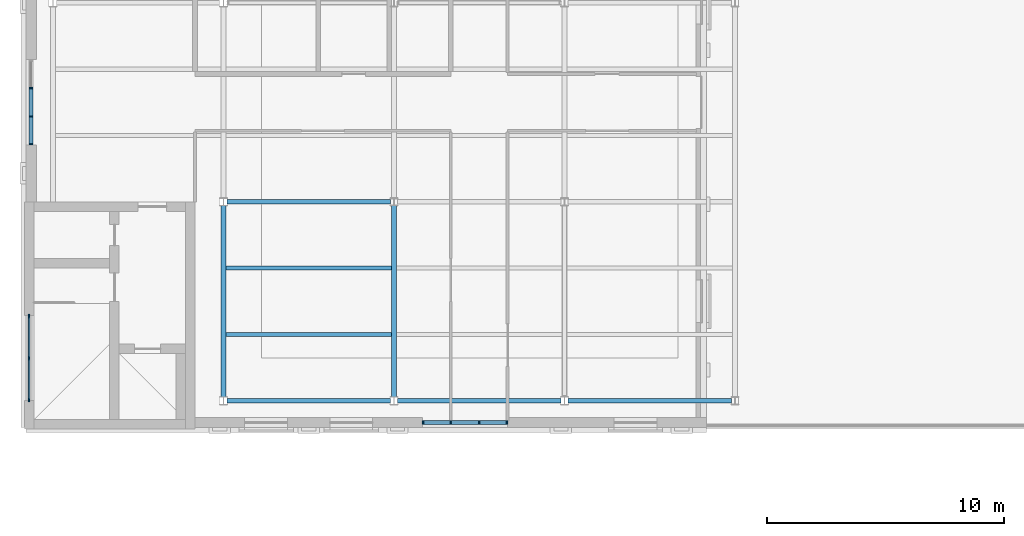
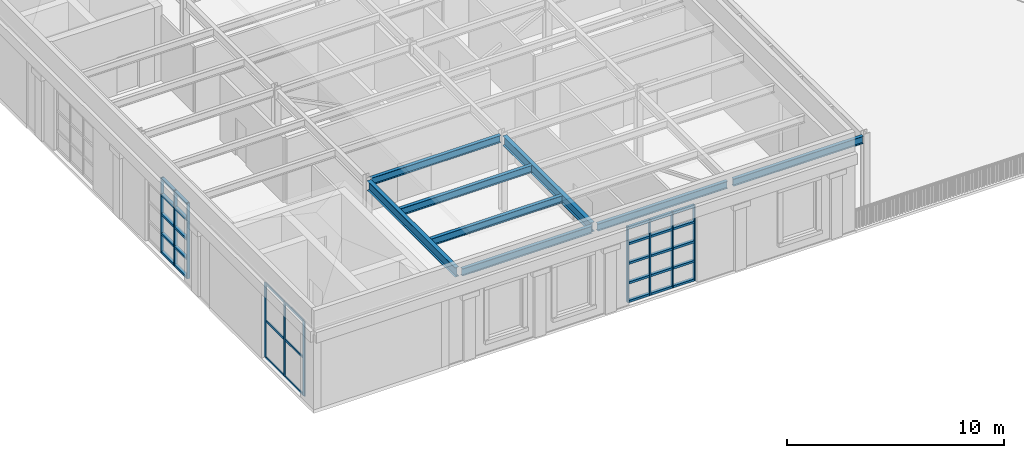
# One storey, part 3 of 127: 41 members, 8 beams, 3 elements without a shape of their own.
"""IFC4 building model written with IfcOpenShell, lengths in metres."""

from ifc_helpers import new_model, si_unit, direction, frame, origin, origin_2d, place, context, subcontext, project, spatial, rectangle, i_section, extrude, material, layer, layer_set, material_profile, profile_set, type_object, element, aggregate, save


model = new_model("IFC4")

# Units and contexts
model_context = context("Model", 3, precision=1e-05, world=origin(), true_north=direction((0.0, 1.0)))
body_context = subcontext(model_context, "Body", "Model", "MODEL_VIEW")
ifc_project = project(units=[si_unit("LENGTHUNIT", "METRE"), si_unit("AREAUNIT", "SQUARE_METRE"), si_unit("VOLUMEUNIT", "CUBIC_METRE"), si_unit("PLANEANGLEUNIT", "RADIAN"), si_unit("MASSUNIT", "GRAM", prefix="KILO")], contexts=[model_context])

# Site, building, storey
site_placement = place(None, origin())
site = spatial("IfcSite", under=ifc_project, at=site_placement, CompositionType="ELEMENT")
building_placement = place(site_placement, origin())
building = spatial("IfcBuilding", under=site, at=building_placement, Name="Verrick Yard Athletic Hall", CompositionType="ELEMENT")
storey_placement = place(building_placement, frame((0.0, 0.0, 14.0)))
storey = spatial("IfcBuildingStorey", under=building, at=storey_placement, Name="L03", CompositionType="ELEMENT", Elevation=14.0)

# Curtain wall, members
ifc_material_1 = material(Name="Aluminium 6063-T5", Category="aluminium")
curtain_wall_type_1 = type_object("IfcCurtainWallType", Name="Core glazing strip", PredefinedType="NOTDEFINED", material=ifc_material_1)
curtain_wall_1_placement = place(storey_placement, origin())
curtain_wall_1 = element("IfcCurtainWall", 1, at=curtain_wall_1_placement, inside=storey, type_object=curtain_wall_type_1, Name="CORE-CB1-CW-L03", PredefinedType="NOTDEFINED")
ifc_material_profile_1 = material_profile(ifc_material_1, rectangle(XDim=0.06005859375, YDim=0.159912109375, at=origin_2d()), Name="Core glazing mullion 60x160")
ifc_profile_set_1 = profile_set([ifc_material_profile_1], Name="Aluminium 6063-T5")
member_type_1 = type_object("IfcMemberType", Name="Core glazing mullion 60x160", PredefinedType="MULLION", material=ifc_profile_set_1)
member_1_placement = place(storey_placement, frame((10.199951171875, 19.22998046875, 0.0), z_axis=(0.0, 0.0, 1.0), x_axis=(-1.0, 0.0, 0.0)))
member_1 = element("IfcMember", 2, at=member_1_placement, type_object=member_type_1, Name="CW5 mullion 1", PredefinedType="MULLION", context=body_context, shape_type="SweptSolid", body=[
    extrude(rectangle(XDim=0.06005859375, YDim=0.159912109375, at=origin_2d()), origin(), (0.0, 0.0, 1.0), 4.199951171875),
])
member_2_placement = place(storey_placement, frame((10.199951171875, 21.0, 0.0), z_axis=(0.0, 0.0, 1.0), x_axis=(-1.0, 0.0, 0.0)))
member_2 = element("IfcMember", 3, at=member_2_placement, type_object=member_type_1, Name="CW5 mullion 2", PredefinedType="MULLION", context=body_context, shape_type="SweptSolid", body=[
    extrude(rectangle(XDim=0.06005859375, YDim=0.159912109375, at=origin_2d()), origin(), (0.0, 0.0, 1.0), 4.199951171875),
])
member_3_placement = place(storey_placement, frame((10.199951171875, 22.77001953125, 0.0), z_axis=(0.0, 0.0, 1.0), x_axis=(-1.0, 0.0, 0.0)))
member_3 = element("IfcMember", 4, at=member_3_placement, type_object=member_type_1, Name="CW5 mullion 3", PredefinedType="MULLION", context=body_context, shape_type="SweptSolid", body=[
    extrude(rectangle(XDim=0.06005859375, YDim=0.159912109375, at=origin_2d()), origin(), (0.0, 0.0, 1.0), 4.199951171875),
])
ifc_material_profile_2 = material_profile(ifc_material_1, rectangle(XDim=0.06005859375, YDim=0.1201171875, at=origin_2d()), Name="Core glazing transom 60x120")
ifc_profile_set_2 = profile_set([ifc_material_profile_2], Name="Aluminium 6063-T5")
member_type_2 = type_object("IfcMemberType", Name="Core glazing transom 60x120", PredefinedType="USERDEFINED", material=ifc_profile_set_2)
member_4_placement = place(storey_placement, frame((10.199951171875, 19.260009765625, 0.030029296875), z_axis=(0.0, 1.0, 0.0), x_axis=(-1.0, 0.0, 0.0)))
member_4 = element("IfcMember", 5, at=member_4_placement, type_object=member_type_2, Name="CW5 transom 1.1", ObjectType="TRANSOM", PredefinedType="USERDEFINED", context=body_context, shape_type="SweptSolid", body=[
    extrude(rectangle(XDim=0.06005859375, YDim=0.1201171875, at=origin_2d()), origin(), (0.0, 0.0, 1.0), 1.7099609375),
])
member_5_placement = place(storey_placement, frame((10.199951171875, 19.260009765625, 2.10009765625), z_axis=(0.0, 1.0, 0.0), x_axis=(-1.0, 0.0, 0.0)))
member_5 = element("IfcMember", 6, at=member_5_placement, type_object=member_type_2, Name="CW5 transom 1.2", ObjectType="TRANSOM", PredefinedType="USERDEFINED", context=body_context, shape_type="SweptSolid", body=[
    extrude(rectangle(XDim=0.06005859375, YDim=0.1201171875, at=origin_2d()), origin(), (0.0, 0.0, 1.0), 1.7099609375),
])
member_6_placement = place(storey_placement, frame((10.199951171875, 19.260009765625, 4.169921875), z_axis=(0.0, 1.0, 0.0), x_axis=(-1.0, 0.0, 0.0)))
member_6 = element("IfcMember", 7, at=member_6_placement, type_object=member_type_2, Name="CW5 transom 1.3", ObjectType="TRANSOM", PredefinedType="USERDEFINED", context=body_context, shape_type="SweptSolid", body=[
    extrude(rectangle(XDim=0.06005859375, YDim=0.1201171875, at=origin_2d()), origin(), (0.0, 0.0, 1.0), 1.7099609375),
])
member_7_placement = place(storey_placement, frame((10.199951171875, 21.030029296875, 0.030029296875), z_axis=(0.0, 1.0, 0.0), x_axis=(-1.0, 0.0, 0.0)))
member_7 = element("IfcMember", 8, at=member_7_placement, type_object=member_type_2, Name="CW5 transom 2.1", ObjectType="TRANSOM", PredefinedType="USERDEFINED", context=body_context, shape_type="SweptSolid", body=[
    extrude(rectangle(XDim=0.06005859375, YDim=0.1201171875, at=origin_2d()), origin(), (0.0, 0.0, 1.0), 1.7099609375),
])
member_8_placement = place(storey_placement, frame((10.199951171875, 21.030029296875, 2.10009765625), z_axis=(0.0, 1.0, 0.0), x_axis=(-1.0, 0.0, 0.0)))
member_8 = element("IfcMember", 9, at=member_8_placement, type_object=member_type_2, Name="CW5 transom 2.2", ObjectType="TRANSOM", PredefinedType="USERDEFINED", context=body_context, shape_type="SweptSolid", body=[
    extrude(rectangle(XDim=0.06005859375, YDim=0.1201171875, at=origin_2d()), origin(), (0.0, 0.0, 1.0), 1.7099609375),
])
member_9_placement = place(storey_placement, frame((10.199951171875, 21.030029296875, 4.169921875), z_axis=(0.0, 1.0, 0.0), x_axis=(-1.0, 0.0, 0.0)))
member_9 = element("IfcMember", 10, at=member_9_placement, type_object=member_type_2, Name="CW5 transom 2.3", ObjectType="TRANSOM", PredefinedType="USERDEFINED", context=body_context, shape_type="SweptSolid", body=[
    extrude(rectangle(XDim=0.06005859375, YDim=0.1201171875, at=origin_2d()), origin(), (0.0, 0.0, 1.0), 1.7099609375),
])
aggregate(curtain_wall_1, [member_1, member_2, member_3, member_4, member_5, member_6, member_7, member_8, member_9])

ifc_material_2 = material(Name="Anodised aluminium", Category="aluminium")
ifc_layer = layer(ifc_material_2, 0.199951171875)
ifc_layer_set = layer_set([ifc_layer], Name="Front glazing")
curtain_wall_type_2 = type_object("IfcCurtainWallType", Name="Front glazing", PredefinedType="NOTDEFINED", material=ifc_layer_set)
curtain_wall_2_placement = place(storey_placement, origin())
curtain_wall_2 = element("IfcCurtainWall", 11, at=curtain_wall_2_placement, inside=storey, type_object=curtain_wall_type_2, Name="ENVB-WS-L03-CW268", PredefinedType="NOTDEFINED")
ifc_material_profile_3 = material_profile(ifc_material_2, rectangle(XDim=0.159912109375, YDim=0.06005859375, at=origin_2d()), Name="CW mullion 60x160")
ifc_profile_set_3 = profile_set([ifc_material_profile_3], Name="Anodised aluminium")
member_type_3 = type_object("IfcMemberType", Name="Front glazing mullion 60x160", PredefinedType="MULLION", material=ifc_profile_set_3)
member_10_placement = place(storey_placement, frame((26.830078125, 18.28125, 0.0), z_axis=(0.0, 0.0, 1.0), x_axis=(0.0, 1.0, 0.0)))
member_10 = element("IfcMember", 12, at=member_10_placement, type_object=member_type_3, Name="ENVB-WS-L03-CW268/M00", PredefinedType="MULLION", context=body_context, shape_type="SweptSolid", body=[
    extrude(rectangle(XDim=0.159912109375, YDim=0.06005859375, at=origin_2d()), origin(), (0.0, 0.0, 1.0), 4.25),
])
member_11_placement = place(storey_placement, frame((28.0, 18.28125, 0.0), z_axis=(0.0, 0.0, 1.0), x_axis=(0.0, 1.0, 0.0)))
member_11 = element("IfcMember", 13, at=member_11_placement, type_object=member_type_3, Name="ENVB-WS-L03-CW268/M01", PredefinedType="MULLION", context=body_context, shape_type="SweptSolid", body=[
    extrude(rectangle(XDim=0.159912109375, YDim=0.06005859375, at=origin_2d()), origin(), (0.0, 0.0, 1.0), 4.25),
])
member_12_placement = place(storey_placement, frame((29.199951171875, 18.28125, 0.0), z_axis=(0.0, 0.0, 1.0), x_axis=(0.0, 1.0, 0.0)))
member_12 = element("IfcMember", 14, at=member_12_placement, type_object=member_type_3, Name="ENVB-WS-L03-CW268/M02", PredefinedType="MULLION", context=body_context, shape_type="SweptSolid", body=[
    extrude(rectangle(XDim=0.159912109375, YDim=0.06005859375, at=origin_2d()), origin(), (0.0, 0.0, 1.0), 4.25),
])
member_13_placement = place(storey_placement, frame((30.3701171875, 18.28125, 0.0), z_axis=(0.0, 0.0, 1.0), x_axis=(0.0, 1.0, 0.0)))
member_13 = element("IfcMember", 15, at=member_13_placement, type_object=member_type_3, Name="ENVB-WS-L03-CW268/M03", PredefinedType="MULLION", context=body_context, shape_type="SweptSolid", body=[
    extrude(rectangle(XDim=0.159912109375, YDim=0.06005859375, at=origin_2d()), origin(), (0.0, 0.0, 1.0), 4.25),
])

curtain_wall_3_placement = place(storey_placement, origin())
curtain_wall_3 = element("IfcCurtainWall", 16, at=curtain_wall_3_placement, inside=storey, type_object=curtain_wall_type_2, Name="ENVB-WW-L03-CW300", PredefinedType="NOTDEFINED")
member_14_placement = place(storey_placement, frame((10.28125, 30.030029296875, 0.0), z_axis=(0.0, 0.0, 1.0), x_axis=(-1.0, 0.0, 0.0)))
member_14 = element("IfcMember", 17, at=member_14_placement, type_object=member_type_3, Name="ENVB-WW-L03-CW300/M00", PredefinedType="MULLION", context=body_context, shape_type="SweptSolid", body=[
    extrude(rectangle(XDim=0.159912109375, YDim=0.06005859375, at=origin_2d()), origin(), (0.0, 0.0, 1.0), 4.25),
])
member_15_placement = place(storey_placement, frame((10.28125, 31.199951171875, 0.0), z_axis=(0.0, 0.0, 1.0), x_axis=(-1.0, 0.0, 0.0)))
member_15 = element("IfcMember", 18, at=member_15_placement, type_object=member_type_3, Name="ENVB-WW-L03-CW300/M01", PredefinedType="MULLION", context=body_context, shape_type="SweptSolid", body=[
    extrude(rectangle(XDim=0.159912109375, YDim=0.06005859375, at=origin_2d()), origin(), (0.0, 0.0, 1.0), 4.25),
])
member_16_placement = place(storey_placement, frame((10.28125, 32.39990234375, 0.0), z_axis=(0.0, 0.0, 1.0), x_axis=(-1.0, 0.0, 0.0)))
member_16 = element("IfcMember", 19, at=member_16_placement, type_object=member_type_3, Name="ENVB-WW-L03-CW300/M02", PredefinedType="MULLION", context=body_context, shape_type="SweptSolid", body=[
    extrude(rectangle(XDim=0.159912109375, YDim=0.06005859375, at=origin_2d()), origin(), (0.0, 0.0, 1.0), 4.25),
])

# Member
ifc_material_profile_4 = material_profile(ifc_material_2, rectangle(XDim=0.159912109375, YDim=0.1201171875, at=origin_2d()), Name="CW transom 160x120")
ifc_profile_set_4 = profile_set([ifc_material_profile_4], Name="Anodised aluminium")
member_type_4 = type_object("IfcMemberType", Name="Front glazing transom 160x120", PredefinedType="USERDEFINED", material=ifc_profile_set_4)
member_17_placement = place(storey_placement, frame((26.860107421875, 18.28125, 0.06005859375), z_axis=(1.0, 0.0, 0.0), x_axis=(0.0, 1.0, 0.0)))
member_17 = element("IfcMember", 20, at=member_17_placement, type_object=member_type_4, Name="ENVB-WS-L03-CW268/T00-00", ObjectType="TRANSOM", PredefinedType="USERDEFINED", context=body_context, shape_type="SweptSolid", body=[
    extrude(rectangle(XDim=0.159912109375, YDim=0.1201171875, at=origin_2d()), origin(), (0.0, 0.0, 1.0), 1.10986328125),
])

member_18_placement = place(storey_placement, frame((26.860107421875, 18.28125, 1.10009765625), z_axis=(1.0, 0.0, 0.0), x_axis=(0.0, 1.0, 0.0)))
member_18 = element("IfcMember", 21, at=member_18_placement, type_object=member_type_4, Name="ENVB-WS-L03-CW268/T00-01", ObjectType="TRANSOM", PredefinedType="USERDEFINED", context=body_context, shape_type="SweptSolid", body=[
    extrude(rectangle(XDim=0.159912109375, YDim=0.1201171875, at=origin_2d()), origin(), (0.0, 0.0, 1.0), 1.10986328125),
])

member_19_placement = place(storey_placement, frame((26.860107421875, 18.28125, 2.199951171875), z_axis=(1.0, 0.0, 0.0), x_axis=(0.0, 1.0, 0.0)))
member_19 = element("IfcMember", 22, at=member_19_placement, type_object=member_type_4, Name="ENVB-WS-L03-CW268/T00-02", ObjectType="TRANSOM", PredefinedType="USERDEFINED", context=body_context, shape_type="SweptSolid", body=[
    extrude(rectangle(XDim=0.159912109375, YDim=0.1201171875, at=origin_2d()), origin(), (0.0, 0.0, 1.0), 1.10986328125),
])

member_20_placement = place(storey_placement, frame((26.860107421875, 18.28125, 3.300048828125), z_axis=(1.0, 0.0, 0.0), x_axis=(0.0, 1.0, 0.0)))
member_20 = element("IfcMember", 23, at=member_20_placement, type_object=member_type_4, Name="ENVB-WS-L03-CW268/T00-03", ObjectType="TRANSOM", PredefinedType="USERDEFINED", context=body_context, shape_type="SweptSolid", body=[
    extrude(rectangle(XDim=0.159912109375, YDim=0.1201171875, at=origin_2d()), origin(), (0.0, 0.0, 1.0), 1.10986328125),
])

member_21_placement = place(storey_placement, frame((26.860107421875, 18.28125, 4.18994140625), z_axis=(1.0, 0.0, 0.0), x_axis=(0.0, 1.0, 0.0)))
member_21 = element("IfcMember", 24, at=member_21_placement, type_object=member_type_4, Name="ENVB-WS-L03-CW268/T00-04", ObjectType="TRANSOM", PredefinedType="USERDEFINED", context=body_context, shape_type="SweptSolid", body=[
    extrude(rectangle(XDim=0.159912109375, YDim=0.1201171875, at=origin_2d()), origin(), (0.0, 0.0, 1.0), 1.10986328125),
])

member_22_placement = place(storey_placement, frame((28.030029296875, 18.28125, 0.06005859375), z_axis=(1.0, 0.0, 0.0), x_axis=(0.0, 1.0, 0.0)))
member_22 = element("IfcMember", 25, at=member_22_placement, type_object=member_type_4, Name="ENVB-WS-L03-CW268/T01-00", ObjectType="TRANSOM", PredefinedType="USERDEFINED", context=body_context, shape_type="SweptSolid", body=[
    extrude(rectangle(XDim=0.159912109375, YDim=0.1201171875, at=origin_2d()), origin(), (0.0, 0.0, 1.0), 1.139892578125),
])

member_23_placement = place(storey_placement, frame((28.030029296875, 18.28125, 1.10009765625), z_axis=(1.0, 0.0, 0.0), x_axis=(0.0, 1.0, 0.0)))
member_23 = element("IfcMember", 26, at=member_23_placement, type_object=member_type_4, Name="ENVB-WS-L03-CW268/T01-01", ObjectType="TRANSOM", PredefinedType="USERDEFINED", context=body_context, shape_type="SweptSolid", body=[
    extrude(rectangle(XDim=0.159912109375, YDim=0.1201171875, at=origin_2d()), origin(), (0.0, 0.0, 1.0), 1.139892578125),
])

member_24_placement = place(storey_placement, frame((28.030029296875, 18.28125, 2.199951171875), z_axis=(1.0, 0.0, 0.0), x_axis=(0.0, 1.0, 0.0)))
member_24 = element("IfcMember", 27, at=member_24_placement, type_object=member_type_4, Name="ENVB-WS-L03-CW268/T01-02", ObjectType="TRANSOM", PredefinedType="USERDEFINED", context=body_context, shape_type="SweptSolid", body=[
    extrude(rectangle(XDim=0.159912109375, YDim=0.1201171875, at=origin_2d()), origin(), (0.0, 0.0, 1.0), 1.139892578125),
])

member_25_placement = place(storey_placement, frame((28.030029296875, 18.28125, 3.300048828125), z_axis=(1.0, 0.0, 0.0), x_axis=(0.0, 1.0, 0.0)))
member_25 = element("IfcMember", 28, at=member_25_placement, type_object=member_type_4, Name="ENVB-WS-L03-CW268/T01-03", ObjectType="TRANSOM", PredefinedType="USERDEFINED", context=body_context, shape_type="SweptSolid", body=[
    extrude(rectangle(XDim=0.159912109375, YDim=0.1201171875, at=origin_2d()), origin(), (0.0, 0.0, 1.0), 1.139892578125),
])

member_26_placement = place(storey_placement, frame((28.030029296875, 18.28125, 4.18994140625), z_axis=(1.0, 0.0, 0.0), x_axis=(0.0, 1.0, 0.0)))
member_26 = element("IfcMember", 29, at=member_26_placement, type_object=member_type_4, Name="ENVB-WS-L03-CW268/T01-04", ObjectType="TRANSOM", PredefinedType="USERDEFINED", context=body_context, shape_type="SweptSolid", body=[
    extrude(rectangle(XDim=0.159912109375, YDim=0.1201171875, at=origin_2d()), origin(), (0.0, 0.0, 1.0), 1.139892578125),
])

member_27_placement = place(storey_placement, frame((29.22998046875, 18.28125, 0.06005859375), z_axis=(1.0, 0.0, 0.0), x_axis=(0.0, 1.0, 0.0)))
member_27 = element("IfcMember", 30, at=member_27_placement, type_object=member_type_4, Name="ENVB-WS-L03-CW268/T02-00", ObjectType="TRANSOM", PredefinedType="USERDEFINED", context=body_context, shape_type="SweptSolid", body=[
    extrude(rectangle(XDim=0.159912109375, YDim=0.1201171875, at=origin_2d()), origin(), (0.0, 0.0, 1.0), 1.110107421875),
])

member_28_placement = place(storey_placement, frame((29.22998046875, 18.28125, 1.10009765625), z_axis=(1.0, 0.0, 0.0), x_axis=(0.0, 1.0, 0.0)))
member_28 = element("IfcMember", 31, at=member_28_placement, type_object=member_type_4, Name="ENVB-WS-L03-CW268/T02-01", ObjectType="TRANSOM", PredefinedType="USERDEFINED", context=body_context, shape_type="SweptSolid", body=[
    extrude(rectangle(XDim=0.159912109375, YDim=0.1201171875, at=origin_2d()), origin(), (0.0, 0.0, 1.0), 1.110107421875),
])

member_29_placement = place(storey_placement, frame((29.22998046875, 18.28125, 2.199951171875), z_axis=(1.0, 0.0, 0.0), x_axis=(0.0, 1.0, 0.0)))
member_29 = element("IfcMember", 32, at=member_29_placement, type_object=member_type_4, Name="ENVB-WS-L03-CW268/T02-02", ObjectType="TRANSOM", PredefinedType="USERDEFINED", context=body_context, shape_type="SweptSolid", body=[
    extrude(rectangle(XDim=0.159912109375, YDim=0.1201171875, at=origin_2d()), origin(), (0.0, 0.0, 1.0), 1.110107421875),
])

member_30_placement = place(storey_placement, frame((29.22998046875, 18.28125, 3.300048828125), z_axis=(1.0, 0.0, 0.0), x_axis=(0.0, 1.0, 0.0)))
member_30 = element("IfcMember", 33, at=member_30_placement, type_object=member_type_4, Name="ENVB-WS-L03-CW268/T02-03", ObjectType="TRANSOM", PredefinedType="USERDEFINED", context=body_context, shape_type="SweptSolid", body=[
    extrude(rectangle(XDim=0.159912109375, YDim=0.1201171875, at=origin_2d()), origin(), (0.0, 0.0, 1.0), 1.110107421875),
])

member_31_placement = place(storey_placement, frame((29.22998046875, 18.28125, 4.18994140625), z_axis=(1.0, 0.0, 0.0), x_axis=(0.0, 1.0, 0.0)))
member_31 = element("IfcMember", 34, at=member_31_placement, type_object=member_type_4, Name="ENVB-WS-L03-CW268/T02-04", ObjectType="TRANSOM", PredefinedType="USERDEFINED", context=body_context, shape_type="SweptSolid", body=[
    extrude(rectangle(XDim=0.159912109375, YDim=0.1201171875, at=origin_2d()), origin(), (0.0, 0.0, 1.0), 1.110107421875),
])

aggregate(curtain_wall_2, [member_10, member_11, member_12, member_13, member_17, member_18, member_19, member_20, member_21, member_22, member_23, member_24, member_25, member_26, member_27, member_28, member_29, member_30, member_31])

member_32_placement = place(storey_placement, frame((10.28125, 30.06005859375, 0.06005859375), z_axis=(0.0, 1.0, 0.0), x_axis=(-1.0, 0.0, 0.0)))
member_32 = element("IfcMember", 35, at=member_32_placement, type_object=member_type_4, Name="ENVB-WW-L03-CW300/T00-00", ObjectType="TRANSOM", PredefinedType="USERDEFINED", context=body_context, shape_type="SweptSolid", body=[
    extrude(rectangle(XDim=0.159912109375, YDim=0.1201171875, at=origin_2d()), origin(), (0.0, 0.0, 1.0), 1.10986328125),
])

member_33_placement = place(storey_placement, frame((10.28125, 30.06005859375, 1.10009765625), z_axis=(0.0, 1.0, 0.0), x_axis=(-1.0, 0.0, 0.0)))
member_33 = element("IfcMember", 36, at=member_33_placement, type_object=member_type_4, Name="ENVB-WW-L03-CW300/T00-01", ObjectType="TRANSOM", PredefinedType="USERDEFINED", context=body_context, shape_type="SweptSolid", body=[
    extrude(rectangle(XDim=0.159912109375, YDim=0.1201171875, at=origin_2d()), origin(), (0.0, 0.0, 1.0), 1.10986328125),
])

member_34_placement = place(storey_placement, frame((10.28125, 30.06005859375, 2.199951171875), z_axis=(0.0, 1.0, 0.0), x_axis=(-1.0, 0.0, 0.0)))
member_34 = element("IfcMember", 37, at=member_34_placement, type_object=member_type_4, Name="ENVB-WW-L03-CW300/T00-02", ObjectType="TRANSOM", PredefinedType="USERDEFINED", context=body_context, shape_type="SweptSolid", body=[
    extrude(rectangle(XDim=0.159912109375, YDim=0.1201171875, at=origin_2d()), origin(), (0.0, 0.0, 1.0), 1.10986328125),
])

member_35_placement = place(storey_placement, frame((10.28125, 30.06005859375, 3.300048828125), z_axis=(0.0, 1.0, 0.0), x_axis=(-1.0, 0.0, 0.0)))
member_35 = element("IfcMember", 38, at=member_35_placement, type_object=member_type_4, Name="ENVB-WW-L03-CW300/T00-03", ObjectType="TRANSOM", PredefinedType="USERDEFINED", context=body_context, shape_type="SweptSolid", body=[
    extrude(rectangle(XDim=0.159912109375, YDim=0.1201171875, at=origin_2d()), origin(), (0.0, 0.0, 1.0), 1.10986328125),
])

member_36_placement = place(storey_placement, frame((10.28125, 30.06005859375, 4.18994140625), z_axis=(0.0, 1.0, 0.0), x_axis=(-1.0, 0.0, 0.0)))
member_36 = element("IfcMember", 39, at=member_36_placement, type_object=member_type_4, Name="ENVB-WW-L03-CW300/T00-04", ObjectType="TRANSOM", PredefinedType="USERDEFINED", context=body_context, shape_type="SweptSolid", body=[
    extrude(rectangle(XDim=0.159912109375, YDim=0.1201171875, at=origin_2d()), origin(), (0.0, 0.0, 1.0), 1.10986328125),
])

member_37_placement = place(storey_placement, frame((10.28125, 31.22998046875, 0.06005859375), z_axis=(0.0, 1.0, 0.0), x_axis=(-1.0, 0.0, 0.0)))
member_37 = element("IfcMember", 40, at=member_37_placement, type_object=member_type_4, Name="ENVB-WW-L03-CW300/T01-00", ObjectType="TRANSOM", PredefinedType="USERDEFINED", context=body_context, shape_type="SweptSolid", body=[
    extrude(rectangle(XDim=0.159912109375, YDim=0.1201171875, at=origin_2d()), origin(), (0.0, 0.0, 1.0), 1.14013671875),
])

member_38_placement = place(storey_placement, frame((10.28125, 31.22998046875, 1.10009765625), z_axis=(0.0, 1.0, 0.0), x_axis=(-1.0, 0.0, 0.0)))
member_38 = element("IfcMember", 41, at=member_38_placement, type_object=member_type_4, Name="ENVB-WW-L03-CW300/T01-01", ObjectType="TRANSOM", PredefinedType="USERDEFINED", context=body_context, shape_type="SweptSolid", body=[
    extrude(rectangle(XDim=0.159912109375, YDim=0.1201171875, at=origin_2d()), origin(), (0.0, 0.0, 1.0), 1.14013671875),
])

member_39_placement = place(storey_placement, frame((10.28125, 31.22998046875, 2.199951171875), z_axis=(0.0, 1.0, 0.0), x_axis=(-1.0, 0.0, 0.0)))
member_39 = element("IfcMember", 42, at=member_39_placement, type_object=member_type_4, Name="ENVB-WW-L03-CW300/T01-02", ObjectType="TRANSOM", PredefinedType="USERDEFINED", context=body_context, shape_type="SweptSolid", body=[
    extrude(rectangle(XDim=0.159912109375, YDim=0.1201171875, at=origin_2d()), origin(), (0.0, 0.0, 1.0), 1.14013671875),
])

member_40_placement = place(storey_placement, frame((10.28125, 31.22998046875, 3.300048828125), z_axis=(0.0, 1.0, 0.0), x_axis=(-1.0, 0.0, 0.0)))
member_40 = element("IfcMember", 43, at=member_40_placement, type_object=member_type_4, Name="ENVB-WW-L03-CW300/T01-03", ObjectType="TRANSOM", PredefinedType="USERDEFINED", context=body_context, shape_type="SweptSolid", body=[
    extrude(rectangle(XDim=0.159912109375, YDim=0.1201171875, at=origin_2d()), origin(), (0.0, 0.0, 1.0), 1.14013671875),
])

member_41_placement = place(storey_placement, frame((10.28125, 31.22998046875, 4.18994140625), z_axis=(0.0, 1.0, 0.0), x_axis=(-1.0, 0.0, 0.0)))
member_41 = element("IfcMember", 44, at=member_41_placement, type_object=member_type_4, Name="ENVB-WW-L03-CW300/T01-04", ObjectType="TRANSOM", PredefinedType="USERDEFINED", context=body_context, shape_type="SweptSolid", body=[
    extrude(rectangle(XDim=0.159912109375, YDim=0.1201171875, at=origin_2d()), origin(), (0.0, 0.0, 1.0), 1.14013671875),
])

aggregate(curtain_wall_3, [member_14, member_15, member_16, member_32, member_33, member_34, member_35, member_36, member_37, member_38, member_39, member_40, member_41])

# Beams
ifc_material_3 = material(Name="Structural steel 350W (CSA G40.21)", Category="steel")
ifc_material_profile_5 = material_profile(ifc_material_3, i_section(OverallWidth=0.177978515625, OverallDepth=0.406982421875, WebThickness=0.0078125, FlangeThickness=0.0126953125, at=origin_2d()), Name="W410x60")
ifc_profile_set_5 = profile_set([ifc_material_profile_5], Name="Structural steel 350W (CSA G40.21)")
beam_type_1 = type_object("IfcBeamType", Name="STR Wing floor beam W410x60", PredefinedType="BEAM", material=ifc_profile_set_5)
for number, where, z_axis, x_axis, name in (
    (45, (18.554443359375, 19.199951171875, 4.04638671875), (1.0, 0.0, 0.0), (0.0, 1.0, 0.0), "STR-B-W184-19.2-1"),
    (46, (25.75439453125, 19.199951171875, 4.04638671875), (1.0, 0.0, 0.0), (0.0, 1.0, 0.0), "STR-B-W184-19.2-2"),
):
    element("IfcBeam", number, at=place(storey_placement, frame(where, z_axis=z_axis, x_axis=x_axis)), inside=storey, type_object=beam_type_1, Name=name, PredefinedType="BEAM", context=body_context, shape_type="SweptSolid", body=[
        extrude(i_section(OverallWidth=0.177978515625, OverallDepth=0.406982421875, WebThickness=0.0078125, FlangeThickness=0.0126953125, at=origin_2d()), origin(), (0.0, 0.0, 1.0), 6.89111328125),
    ])
beam_1_placement = place(storey_placement, frame((32.95458984375, 19.199951171875, 4.04638671875), z_axis=(1.0, 0.0, 0.0), x_axis=(0.0, 1.0, 0.0)))
element("IfcBeam", 47, at=beam_1_placement, inside=storey, type_object=beam_type_1, Name="STR-B-W184-19.2-3", PredefinedType="BEAM", context=body_context, shape_type="SweptSolid", body=[
    extrude(i_section(OverallWidth=0.177978515625, OverallDepth=0.406982421875, WebThickness=0.0078125, FlangeThickness=0.0126953125, at=origin_2d()), origin(), (0.0, 0.0, 1.0), 6.890869140625),
])
beam_2_placement = place(storey_placement, frame((18.554443359375, 27.60009765625, 4.04638671875), z_axis=(1.0, 0.0, 0.0), x_axis=(0.0, 1.0, 0.0)))
element("IfcBeam", 48, at=beam_2_placement, inside=storey, type_object=beam_type_1, Name="STR-B-W184-27.6-1", PredefinedType="BEAM", context=body_context, shape_type="SweptSolid", body=[
    extrude(i_section(OverallWidth=0.177978515625, OverallDepth=0.406982421875, WebThickness=0.0078125, FlangeThickness=0.0126953125, at=origin_2d()), origin(), (0.0, 0.0, 1.0), 6.89111328125),
])
for number, where, z_axis, x_axis, name in (
    (49, (18.50439453125, 22.0, 4.04638671875), (1.0, 0.0, 0.0), (0.0, 1.0, 0.0), "STR-B-W184-22-1"),
    (50, (18.50439453125, 24.800048828125, 4.04638671875), (1.0, 0.0, 0.0), (0.0, 1.0, 0.0), "STR-B-W184-24.8-1"),
):
    element("IfcBeam", number, at=place(storey_placement, frame(where, z_axis=z_axis, x_axis=x_axis)), inside=storey, type_object=beam_type_1, Name=name, PredefinedType="BEAM", context=body_context, shape_type="SweptSolid", body=[
        extrude(i_section(OverallWidth=0.177978515625, OverallDepth=0.406982421875, WebThickness=0.0078125, FlangeThickness=0.0126953125, at=origin_2d()), origin(), (0.0, 0.0, 1.0), 6.9912109375),
    ])
ifc_material_profile_6 = material_profile(ifc_material_3, i_section(OverallWidth=0.208984375, OverallDepth=0.532958984375, WebThickness=0.01025390625, FlangeThickness=0.015625, at=origin_2d()), Name="W530x92")
ifc_profile_set_6 = profile_set([ifc_material_profile_6], Name="Structural steel 350W (CSA G40.21)")
beam_type_2 = type_object("IfcBeamType", Name="STR Wing girder W530x92", PredefinedType="BEAM", material=ifc_profile_set_6)
for number, where, z_axis, x_axis, name in (
    (51, (18.39990234375, 19.361572265625, 3.9833984375), (0.0, 1.0, 0.0), (-1.0, 0.0, 0.0), "STR-GB-W184-18.4-1"),
    (52, (25.60009765625, 19.361572265625, 3.9833984375), (0.0, 1.0, 0.0), (-1.0, 0.0, 0.0), "STR-GB-W184-25.6-1"),
):
    element("IfcBeam", number, at=place(storey_placement, frame(where, z_axis=z_axis, x_axis=x_axis)), inside=storey, type_object=beam_type_2, Name=name, PredefinedType="BEAM", context=body_context, shape_type="SweptSolid", body=[
        extrude(i_section(OverallWidth=0.208984375, OverallDepth=0.532958984375, WebThickness=0.01025390625, FlangeThickness=0.015625, at=origin_2d()), origin(), (0.0, 0.0, 1.0), 8.076904296875),
    ])

save(model, "model.ifc")
